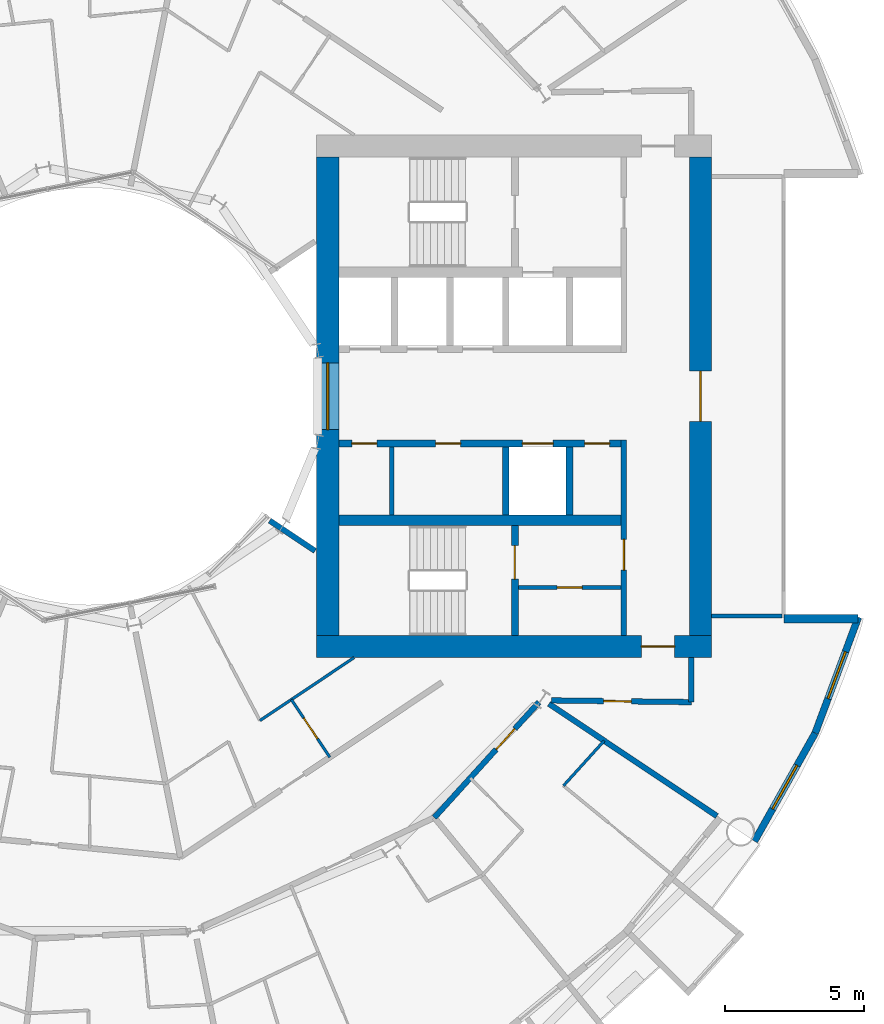
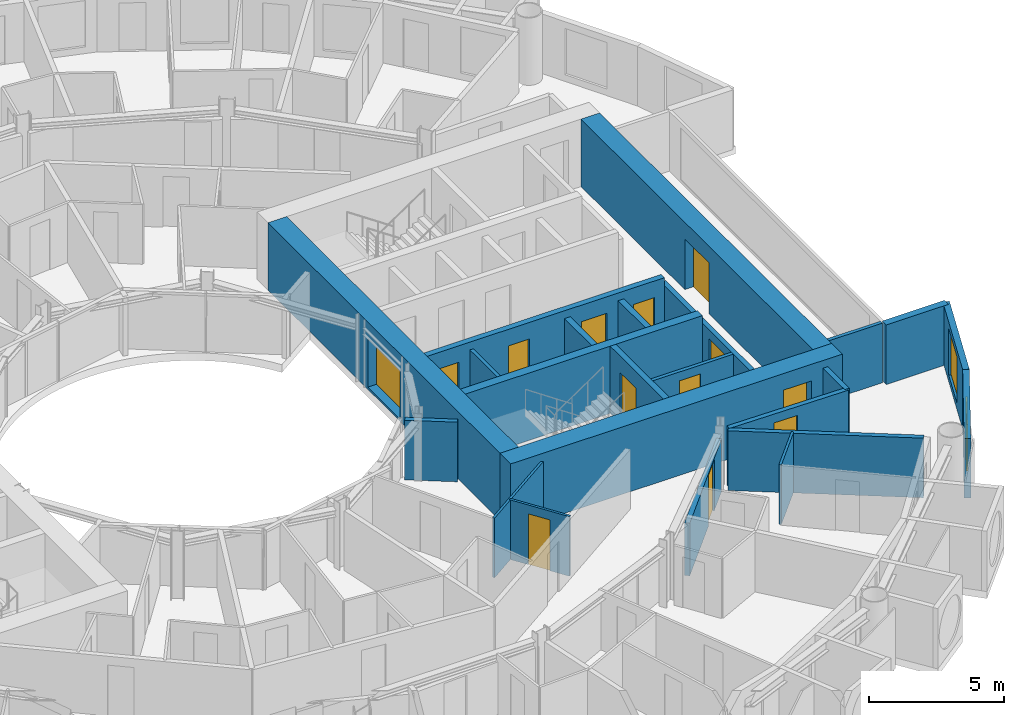
# One storey, part 17 of 26: 23 walls, 12 doors, 3 windows, 15 openings.
"""IFC4 building model written with IfcOpenShell, lengths in metres."""

from ifc_helpers import new_model, si_unit, direction, frame, frame_2d, origin, place, context, subcontext, project, spatial, rectangle, extrude, material, layer, layer_set, type_object, element, fill, save


model = new_model("IFC4")

# Units and contexts
model_context = context("Model", 3, precision=1e-05, world=origin(), true_north=direction((0.0, 1.0)))
body_context = subcontext(model_context, "Body", "Model", "MODEL_VIEW")
ifc_project = project(units=[si_unit("LENGTHUNIT", "METRE"), si_unit("AREAUNIT", "SQUARE_METRE"), si_unit("VOLUMEUNIT", "CUBIC_METRE"), si_unit("PLANEANGLEUNIT", "RADIAN"), si_unit("MASSUNIT", "GRAM", prefix="KILO")], contexts=[model_context])

# Site, building, storey
site_placement = place(None, origin())
site = spatial("IfcSite", under=ifc_project, at=site_placement, CompositionType="ELEMENT")
building_placement = place(site_placement, origin())
building = spatial("IfcBuilding", under=site, at=building_placement, Name="Maasbend Ring Residences", CompositionType="ELEMENT")
storey_placement = place(building_placement, frame((0.0, 0.0, 25.85009765625)))
storey = spatial("IfcBuildingStorey", under=building, at=storey_placement, Name="L06", CompositionType="ELEMENT", Elevation=25.85009765625)

# Wall, openings, doors
ifc_material_1 = material(Name="Concrete C70/85", Category="concrete")
ifc_layer_1 = layer(ifc_material_1, 0.25)
ifc_layer_set_1 = layer_set([ifc_layer_1], Name="Concrete C70/85")
wall_type_1 = type_object("IfcWallType", Name="CORE WALL 250 C70/85", PredefinedType="SHEAR", material=ifc_layer_set_1)
wall_1_placement = place(storey_placement, frame((19.14990234375, -1.699951171875, 0.0), z_axis=(0.0, 0.0, 1.0), x_axis=(-1.0, 0.0, 0.0)))
wall_1 = element("IfcWall", 1, at=wall_1_placement, inside=storey, type_object=wall_type_1, Name="L06 core E wall SPS", PredefinedType="SHEAR", context=body_context, shape_type="SweptSolid", body=[
    extrude(rectangle(XDim=10.14990234375, YDim=0.25, at=frame_2d((5.074951171875, 0.0))), origin(), (0.0, 0.0, 1.0), 3.0498046875),
])
opening_1_placement = place(wall_1_placement, frame((2.449951171875, 0.0, 0.0)))
opening_1 = element("IfcOpeningElement", 2, at=opening_1_placement, cuts=wall_1, Name="Opening LD-E0605", PredefinedType="OPENING", context=body_context, shape_type="SweptSolid", body=[
    extrude(rectangle(XDim=1.10009765625, YDim=2.300048828125, at=frame_2d((0.550048828125, 1.14990234375))), frame((0.0, 0.135009765625, 0.0), z_axis=(0.0, -1.0, 0.0), x_axis=(1.0, 0.0, 0.0)), (0.0, 0.0, 1.0), 0.27001953125),
])
opening_2_placement = place(wall_1_placement, frame((8.78759765625, 0.0, 0.0)))
opening_2 = element("IfcOpeningElement", 3, at=opening_2_placement, cuts=wall_1, Name="Opening D-E0606", PredefinedType="OPENING", context=body_context, shape_type="SweptSolid", body=[
    extrude(rectangle(XDim=0.89990234375, YDim=2.300048828125, at=frame_2d((0.449951171875, 1.14990234375))), frame((0.0, 0.135009765625, 0.0), z_axis=(0.0, -1.0, 0.0), x_axis=(1.0, 0.0, 0.0)), (0.0, 0.0, 1.0), 0.27001953125),
])
opening_3_placement = place(wall_1_placement, frame((5.77490234375, 0.0, 0.0)))
opening_3 = element("IfcOpeningElement", 4, at=opening_3_placement, cuts=wall_1, Name="Opening D-E0607", PredefinedType="OPENING", context=body_context, shape_type="SweptSolid", body=[
    extrude(rectangle(XDim=0.89990234375, YDim=2.300048828125, at=frame_2d((0.449951171875, 1.14990234375))), frame((0.0, 0.135009765625, 0.0), z_axis=(0.0, -1.0, 0.0), x_axis=(1.0, 0.0, 0.0)), (0.0, 0.0, 1.0), 0.27001953125),
])
opening_4_placement = place(wall_1_placement, frame((0.41259765625, 0.0, 0.0)))
opening_4 = element("IfcOpeningElement", 5, at=opening_4_placement, cuts=wall_1, Name="Opening D-E0608", PredefinedType="OPENING", context=body_context, shape_type="SweptSolid", body=[
    extrude(rectangle(XDim=0.89990234375, YDim=2.300048828125, at=frame_2d((0.449951171875, 1.14990234375))), frame((0.0, 0.135009765625, 0.0), z_axis=(0.0, -1.0, 0.0), x_axis=(1.0, 0.0, 0.0)), (0.0, 0.0, 1.0), 0.27001953125),
])
ifc_material_2 = material(Name="Stainless steel 316", Category="steel")
door_type_1 = type_object("IfcDoorType", Name="LANDING DOOR 1100 X 2300 FD60", OperationType="DOUBLE_DOOR_SLIDING", PredefinedType="DOOR", material=ifc_material_2)
door_1_placement = place(opening_1_placement, origin())
door_1 = element("IfcDoor", 6, at=door_1_placement, inside=storey, type_object=door_type_1, Name="Landing door SV-E L06", OperationType="DOUBLE_DOOR_SLIDING", OverallHeight=2.300048828125, OverallWidth=1.10009765625, PredefinedType="DOOR", context=body_context, shape_type="SweptSolid", body=[
    extrude(rectangle(XDim=1.10009765625, YDim=2.300048828125, at=frame_2d((0.550048828125, 1.14990234375))), frame((0.0, 0.02490234375, 0.0), z_axis=(0.0, -1.0, 0.0), x_axis=(1.0, 0.0, 0.0)), (0.0, 0.0, 1.0), 0.050048828125),
])
fill(opening_1, door_1)
ifc_material_3 = material(Name="Steel, powder coated", Category="steel")
door_type_2 = type_object("IfcDoorType", Name="ROOM DOOR 900 X 2300 FD30S", OperationType="NOTDEFINED", PredefinedType="DOOR", material=ifc_material_3)
door_2_placement = place(opening_2_placement, origin())
door_2 = element("IfcDoor", 7, at=door_2_placement, inside=storey, type_object=door_type_2, Name="Room door L06", OperationType="SINGLE_SWING_LEFT", OverallHeight=2.300048828125, OverallWidth=0.89990234375, PredefinedType="DOOR", context=body_context, shape_type="SweptSolid", body=[
    extrude(rectangle(XDim=0.89990234375, YDim=2.300048828125, at=frame_2d((0.449951171875, 1.14990234375))), frame((0.0, 0.02490234375, 0.0), z_axis=(0.0, -1.0, 0.0), x_axis=(1.0, 0.0, 0.0)), (0.0, 0.0, 1.0), 0.050048828125),
])
fill(opening_2, door_2)
door_3_placement = place(opening_3_placement, origin())
door_3 = element("IfcDoor", 8, at=door_3_placement, inside=storey, type_object=door_type_2, Name="Room door L06", OperationType="SINGLE_SWING_LEFT", OverallHeight=2.300048828125, OverallWidth=0.89990234375, PredefinedType="DOOR", context=body_context, shape_type="SweptSolid", body=[
    extrude(rectangle(XDim=0.89990234375, YDim=2.300048828125, at=frame_2d((0.449951171875, 1.14990234375))), frame((0.0, 0.02490234375, 0.0), z_axis=(0.0, -1.0, 0.0), x_axis=(1.0, 0.0, 0.0)), (0.0, 0.0, 1.0), 0.050048828125),
])
fill(opening_3, door_3)
door_4_placement = place(opening_4_placement, origin())
door_4 = element("IfcDoor", 9, at=door_4_placement, inside=storey, type_object=door_type_2, Name="Room door L06", OperationType="SINGLE_SWING_RIGHT", OverallHeight=2.300048828125, OverallWidth=0.89990234375, PredefinedType="DOOR", context=body_context, shape_type="SweptSolid", body=[
    extrude(rectangle(XDim=0.89990234375, YDim=2.300048828125, at=frame_2d((0.449951171875, 1.14990234375))), frame((0.0, 0.02490234375, 0.0), z_axis=(0.0, -1.0, 0.0), x_axis=(1.0, 0.0, 0.0)), (0.0, 0.0, 1.0), 0.050048828125),
])
fill(opening_4, door_4)

# Wall, opening, door
wall_2_placement = place(storey_placement, frame((15.324951171875, -8.60009765625, 0.0), z_axis=(0.0, 0.0, 1.0), x_axis=(0.0, 1.0, 0.0)))
wall_2 = element("IfcWall", 10, at=wall_2_placement, inside=storey, type_object=wall_type_1, Name="L06 core E wall STES", PredefinedType="SHEAR", context=body_context, shape_type="SweptSolid", body=[
    extrude(rectangle(XDim=3.9501953125, YDim=0.25, at=frame_2d((1.97509765625, 0.0))), origin(), (0.0, 0.0, 1.0), 3.0498046875),
])
opening_5_placement = place(wall_2_placement, frame((2.02490234375, 0.0, 0.0)))
opening_5 = element("IfcOpeningElement", 11, at=opening_5_placement, cuts=wall_2, Name="Opening D-E0611", PredefinedType="OPENING", context=body_context, shape_type="SweptSolid", body=[
    extrude(rectangle(XDim=1.199951171875, YDim=2.300048828125, at=frame_2d((0.60009765625, 1.14990234375))), frame((0.0, 0.135009765625, 0.0), z_axis=(0.0, -1.0, 0.0), x_axis=(1.0, 0.0, 0.0)), (0.0, 0.0, 1.0), 0.27001953125),
])
ifc_material_4 = material(Name="Steel, powder coated", Category="steel")
door_type_3 = type_object("IfcDoorType", Name="STAIR DOOR 1200 X 2300 FD60", OperationType="NOTDEFINED", PredefinedType="DOOR", material=ifc_material_4)
door_5_placement = place(opening_5_placement, origin())
door_5 = element("IfcDoor", 12, at=door_5_placement, inside=storey, type_object=door_type_3, Name="Stair door ST-E L06", OperationType="SINGLE_SWING_LEFT", OverallHeight=2.300048828125, OverallWidth=1.199951171875, PredefinedType="DOOR", context=body_context, shape_type="SweptSolid", body=[
    extrude(rectangle(XDim=1.199951171875, YDim=2.300048828125, at=frame_2d((0.60009765625, 1.14990234375))), frame((0.0, 0.02490234375, 0.0), z_axis=(0.0, -1.0, 0.0), x_axis=(1.0, 0.0, 0.0)), (0.0, 0.0, 1.0), 0.050048828125),
])
fill(opening_5, door_5)

# Wall
ifc_material_5 = material(Name="Concrete C70/85", Category="concrete")
ifc_layer_2 = layer(ifc_material_5, 0.375)
ifc_layer_set_2 = layer_set([ifc_layer_2], Name="Concrete C70/85")
wall_type_2 = type_object("IfcWallType", Name="CORE WALL 375 C70/85", PredefinedType="SHEAR", material=ifc_layer_set_2)
wall_3_placement = place(storey_placement, frame((9.0, -4.46240234375, 0.0), z_axis=(0.0, 0.0, 1.0), x_axis=(1.0, 0.0, 0.0)))
element("IfcWall", 13, at=wall_3_placement, inside=storey, type_object=wall_type_2, Name="L06 core E wall BS", PredefinedType="SHEAR", context=body_context, shape_type="SweptSolid", body=[
    extrude(rectangle(XDim=10.14990234375, YDim=0.375, at=frame_2d((5.074951171875, 0.0))), origin(), (0.0, 0.0, 1.0), 3.0498046875),
])

# Wall, opening, door
ifc_material_6 = material(Name="Concrete C70/85", Category="concrete")
ifc_layer_3 = layer(ifc_material_6, 0.800048828125)
ifc_layer_set_3 = layer_set([ifc_layer_3], Name="Concrete C70/85")
wall_type_3 = type_object("IfcWallType", Name="CORE WALL 800 C70/85", PredefinedType="SHEAR", material=ifc_layer_set_3)
wall_4_placement = place(storey_placement, frame((8.199951171875, -9.0, 0.0), z_axis=(0.0, 0.0, 1.0), x_axis=(1.0, 0.0, 0.0)))
wall_4 = element("IfcWall", 14, at=wall_4_placement, inside=storey, type_object=wall_type_3, Name="L06 core E wall PS", PredefinedType="SHEAR", context=body_context, shape_type="SweptSolid", body=[
    extrude(rectangle(XDim=14.199951171875, YDim=0.800048828125, at=frame_2d((7.10009765625, 0.0))), origin(), (0.0, 0.0, 1.0), 3.0498046875),
])
opening_6_placement = place(wall_4_placement, frame((11.675048828125, 0.0, 0.0)))
opening_6 = element("IfcOpeningElement", 15, at=opening_6_placement, cuts=wall_4, Name="Opening D-E0615", PredefinedType="OPENING", context=body_context, shape_type="SweptSolid", body=[
    extrude(rectangle(XDim=1.199951171875, YDim=2.300048828125, at=frame_2d((0.60009765625, 1.14990234375))), frame((0.0, 0.41015625, 0.0), z_axis=(0.0, -1.0, 0.0), x_axis=(1.0, 0.0, 0.0)), (0.0, 0.0, 1.0), 0.820068359375),
])
ifc_material_7 = material(Name="Steel, powder coated", Category="steel")
door_type_4 = type_object("IfcDoorType", Name="CORRIDOR DOOR 1200 X 2300 FD30S", OperationType="NOTDEFINED", PredefinedType="DOOR", material=ifc_material_7)
door_6_placement = place(opening_6_placement, origin())
door_6 = element("IfcDoor", 16, at=door_6_placement, inside=storey, type_object=door_type_4, Name="Corridor door L06", OperationType="SINGLE_SWING_LEFT", OverallHeight=2.300048828125, OverallWidth=1.199951171875, PredefinedType="DOOR", context=body_context, shape_type="SweptSolid", body=[
    extrude(rectangle(XDim=1.199951171875, YDim=2.300048828125, at=frame_2d((0.60009765625, 1.14990234375))), frame((0.0, 0.02490234375, 0.0), z_axis=(0.0, -1.0, 0.0), x_axis=(1.0, 0.0, 0.0)), (0.0, 0.0, 1.0), 0.050048828125),
])
fill(opening_6, door_6)

wall_5_placement = place(storey_placement, frame((22.0, 8.60009765625, 0.0), z_axis=(0.0, 0.0, 1.0), x_axis=(0.0, -1.0, 0.0)))
wall_5 = element("IfcWall", 17, at=wall_5_placement, inside=storey, type_object=wall_type_3, Name="L06 core E wall POUT", PredefinedType="SHEAR", context=body_context, shape_type="SweptSolid", body=[
    extrude(rectangle(XDim=17.2001953125, YDim=0.800048828125, at=frame_2d((8.60009765625, 0.0))), origin(), (0.0, 0.0, 1.0), 3.0498046875),
])
opening_7_placement = place(wall_5_placement, frame((7.699951171875, 0.0, 0.0)))
opening_7 = element("IfcOpeningElement", 18, at=opening_7_placement, cuts=wall_5, Name="Opening D-E0616", PredefinedType="OPENING", context=body_context, shape_type="SweptSolid", body=[
    extrude(rectangle(XDim=1.800048828125, YDim=2.300048828125, at=frame_2d((0.89990234375, 1.14990234375))), frame((0.0, 0.41015625, 0.0), z_axis=(0.0, -1.0, 0.0), x_axis=(1.0, 0.0, 0.0)), (0.0, 0.0, 1.0), 0.820068359375),
])
ifc_material_8 = material(Name="Aluminium frame, clear glass", Category="aluminium")
door_type_5 = type_object("IfcDoorType", Name="ENTRANCE DOOR 1800 X 2300 FD60", OperationType="NOTDEFINED", PredefinedType="DOOR", material=ifc_material_8)
door_7_placement = place(opening_7_placement, origin())
door_7 = element("IfcDoor", 19, at=door_7_placement, inside=storey, type_object=door_type_5, Name="Lobby glazed door L06", OperationType="SINGLE_SWING_LEFT", OverallHeight=2.300048828125, OverallWidth=1.800048828125, PredefinedType="DOOR", context=body_context, shape_type="SweptSolid", body=[
    extrude(rectangle(XDim=1.800048828125, YDim=2.300048828125, at=frame_2d((0.89990234375, 1.14990234375))), frame((0.0, 0.02490234375, 0.0), z_axis=(0.0, -1.0, 0.0), x_axis=(1.0, 0.0, 0.0)), (0.0, 0.0, 1.0), 0.050048828125),
])
fill(opening_7, door_7)

# Wall, opening, window
wall_6_placement = place(storey_placement, frame((8.60009765625, -8.60009765625, 0.0), z_axis=(0.0, 0.0, 1.0), x_axis=(0.0, 1.0, 0.0)))
wall_6 = element("IfcWall", 20, at=wall_6_placement, inside=storey, type_object=wall_type_3, Name="L06 core E wall PIN", PredefinedType="SHEAR", context=body_context, shape_type="SweptSolid", body=[
    extrude(rectangle(XDim=17.2001953125, YDim=0.800048828125, at=frame_2d((8.60009765625, 0.0))), origin(), (0.0, 0.0, 1.0), 3.0498046875),
])
opening_8_placement = place(wall_6_placement, frame((7.39990234375, 0.0, 0.10009765625)))
opening_8 = element("IfcOpeningElement", 21, at=opening_8_placement, cuts=wall_6, Name="Opening W-E0601", PredefinedType="OPENING", context=body_context, shape_type="SweptSolid", body=[
    extrude(rectangle(XDim=2.39990234375, YDim=2.199951171875, at=frame_2d((1.199951171875, 1.10009765625))), frame((0.0, 0.41015625, 0.0), z_axis=(0.0, -1.0, 0.0), x_axis=(1.0, 0.0, 0.0)), (0.0, 0.0, 1.0), 0.820068359375),
])
ifc_material_9 = material(Name="Aluminium frame and clear glass", Category="aluminium")
window_type_1 = type_object("IfcWindowType", Name="FIXED WINDOW 2400 X 2200", PartitioningType="SINGLE_PANEL", PredefinedType="WINDOW", material=ifc_material_9)
window_1_placement = place(opening_8_placement, origin())
window_1 = element("IfcWindow", 22, at=window_1_placement, inside=storey, type_object=window_type_1, Name="Lobby window L06", OverallHeight=2.199951171875, OverallWidth=2.39990234375, PartitioningType="SINGLE_PANEL", PredefinedType="WINDOW", context=body_context, shape_type="SweptSolid", body=[
    extrude(rectangle(XDim=2.39990234375, YDim=2.199951171875, at=frame_2d((1.199951171875, 1.10009765625))), frame((0.0, 0.030029296875, 0.0), z_axis=(0.0, -1.0, 0.0), x_axis=(1.0, 0.0, 0.0)), (0.0, 0.0, 1.0), 0.06005859375),
])
fill(opening_8, window_1)

# Wall
ifc_material_10 = material(Name="Concrete C30/37", Category="concrete")
ifc_layer_4 = layer(ifc_material_10, 0.199951171875)
ifc_layer_set_4 = layer_set([ifc_layer_4], Name="Concrete C30/37")
wall_type_4 = type_object("IfcWallType", Name="CORRIDOR WALL 200 CONCRETE", PredefinedType="PARTITIONING", material=ifc_layer_set_4)
wall_7_placement = place(storey_placement, frame((21.675048828125, -11.0, 0.0), z_axis=(0.0, 0.0, 1.0), x_axis=(0.0, 1.0, 0.0)))
element("IfcWall", 23, at=wall_7_placement, inside=storey, type_object=wall_type_4, Name="U-L06-w007", PredefinedType="PARTITIONING", context=body_context, shape_type="SweptSolid", body=[
    extrude(rectangle(XDim=1.60009765625, YDim=0.199951171875, at=frame_2d((0.800048828125, 0.0))), origin(), (0.0, 0.0, 1.0), 2.699951171875),
])

# Wall, opening, door
wall_8_placement = place(storey_placement, frame((12.43408203125, -15.15087890625, 0.0), z_axis=(0.0, 0.0, 1.0), x_axis=(0.671514934772, 0.740991020444, 0.0)))
wall_8 = element("IfcWall", 24, at=wall_8_placement, inside=storey, type_object=wall_type_4, Name="U-L06-w014", PredefinedType="PARTITIONING", context=body_context, shape_type="SweptSolid", body=[
    extrude(rectangle(XDim=5.597900390625, YDim=0.199951171875, at=frame_2d((2.798828125, 0.0))), origin(), (0.0, 0.0, 1.0), 2.3798828125),
])
opening_9_placement = place(wall_8_placement, frame((3.304931640625, 0.0, 0.0)))
opening_9 = element("IfcOpeningElement", 25, at=opening_9_placement, cuts=wall_8, Name="Opening D-0650", PredefinedType="OPENING", context=body_context, shape_type="SweptSolid", body=[
    extrude(rectangle(XDim=1.0, YDim=2.300048828125, at=frame_2d((0.5, 1.14990234375))), frame((0.0, 0.10986328125, 0.0), z_axis=(0.0, -1.0, 0.0), x_axis=(1.0, 0.0, 0.0)), (0.0, 0.0, 1.0), 0.219970703125),
])
ifc_material_11 = material(Name="Timber, fire-rated, painted", Category="wood")
door_type_6 = type_object("IfcDoorType", Name="FLAT ENTRANCE DOOR 1000 X 2300 FIRE-RATED", OperationType="NOTDEFINED", PredefinedType="DOOR", material=ifc_material_11)
door_8_placement = place(opening_9_placement, origin())
door_8 = element("IfcDoor", 26, at=door_8_placement, inside=storey, type_object=door_type_6, Name="D-0650", OperationType="SINGLE_SWING_RIGHT", OverallHeight=2.300048828125, OverallWidth=1.0, PredefinedType="DOOR", context=body_context, shape_type="SweptSolid", body=[
    extrude(rectangle(XDim=1.0, YDim=2.300048828125, at=frame_2d((0.5, 1.14990234375))), frame((0.0, 0.02490234375, 0.0), z_axis=(0.0, -1.0, 0.0), x_axis=(1.0, 0.0, 0.0)), (0.0, 0.0, 1.0), 0.050048828125),
])
fill(opening_9, door_8)

wall_9_placement = place(storey_placement, frame((16.636962890625, -10.93798828125, 0.0), z_axis=(0.0, 0.0, 1.0), x_axis=(0.99992425795, -0.012307654658, 0.0)))
wall_9 = element("IfcWall", 27, at=wall_9_placement, inside=storey, type_object=wall_type_4, Name="U-L06-w028", PredefinedType="PARTITIONING", context=body_context, shape_type="SweptSolid", body=[
    extrude(rectangle(XDim=5.03857421875, YDim=0.199951171875, at=frame_2d((2.519287109375, 0.0))), origin(), (0.0, 0.0, 1.0), 2.699951171875),
])
opening_10_placement = place(wall_9_placement, frame((1.884033203125, 0.0, 0.0)))
opening_10 = element("IfcOpeningElement", 28, at=opening_10_placement, cuts=wall_9, Name="Opening D-0667", PredefinedType="OPENING", context=body_context, shape_type="SweptSolid", body=[
    extrude(rectangle(XDim=1.0, YDim=2.300048828125, at=frame_2d((0.5, 1.14990234375))), frame((0.0, 0.10986328125, 0.0), z_axis=(0.0, -1.0, 0.0), x_axis=(1.0, 0.0, 0.0)), (0.0, 0.0, 1.0), 0.219970703125),
])
ifc_material_12 = material(Name="Timber, painted", Category="wood")
door_type_7 = type_object("IfcDoorType", Name="ROOM DOOR 1000 X 2300", OperationType="NOTDEFINED", PredefinedType="DOOR", material=ifc_material_12)
door_9_placement = place(opening_10_placement, origin())
door_9 = element("IfcDoor", 29, at=door_9_placement, inside=storey, type_object=door_type_7, Name="D-0667", OperationType="SINGLE_SWING_LEFT", OverallHeight=2.300048828125, OverallWidth=1.0, PredefinedType="DOOR", context=body_context, shape_type="SweptSolid", body=[
    extrude(rectangle(XDim=1.0, YDim=2.300048828125, at=frame_2d((0.5, 1.14990234375))), frame((0.0, 0.02490234375, 0.0), z_axis=(0.0, -1.0, 0.0), x_axis=(1.0, 0.0, 0.0)), (0.0, 0.0, 1.0), 0.050048828125),
])
fill(opening_10, door_9)

# Wall, opening, window
ifc_material_13 = material(Name="Aluminium clad insulated panel", Category="aluminium")
ifc_layer_5 = layer(ifc_material_13, 0.25)
ifc_layer_set_5 = layer_set([ifc_layer_5], Name="EW-HORN")
wall_type_5 = type_object("IfcWallType", Name="EW-HORN", PredefinedType="SOLIDWALL", material=ifc_layer_set_5)
wall_10_placement = place(storey_placement, frame((23.946044921875, -16.0, 0.0), z_axis=(0.0, 0.0, 1.0), x_axis=(0.489696356642, 0.871893042919, 0.0)))
wall_10 = element("IfcWall", 30, at=wall_10_placement, inside=storey, type_object=wall_type_5, Name="Horn wall 2.1", PredefinedType="SOLIDWALL", context=body_context, shape_type="SweptSolid", body=[
    extrude(rectangle(XDim=4.45361328125, YDim=0.25, at=frame_2d((2.226806640625, 0.0))), origin(), (0.0, 0.0, 1.0), 2.699951171875),
])
opening_11_placement = place(wall_10_placement, frame((1.32666015625, 0.0, 0.300048828125)))
opening_11 = element("IfcOpeningElement", 31, at=opening_11_placement, cuts=wall_10, Name="Opening W-BX", PredefinedType="OPENING", context=body_context, shape_type="SweptSolid", body=[
    extrude(rectangle(XDim=1.800048828125, YDim=2.10009765625, at=frame_2d((0.89990234375, 1.050048828125))), frame((0.0, 0.135009765625, 0.0), z_axis=(0.0, -1.0, 0.0), x_axis=(1.0, 0.0, 0.0)), (0.0, 0.0, 1.0), 0.27001953125),
])
ifc_material_14 = material(Name="Aluminium and clear glass", Category="aluminium")
window_type_2 = type_object("IfcWindowType", Name="W-BX", PartitioningType="DOUBLE_PANEL_VERTICAL", PredefinedType="WINDOW", material=ifc_material_14)
window_2_placement = place(opening_11_placement, origin())
window_2 = element("IfcWindow", 32, at=window_2_placement, inside=storey, type_object=window_type_2, Name="Horn window 2.1", OverallHeight=2.10009765625, OverallWidth=1.800048828125, PartitioningType="SINGLE_PANEL", PredefinedType="WINDOW", context=body_context, shape_type="SweptSolid", body=[
    extrude(rectangle(XDim=1.800048828125, YDim=2.10009765625, at=frame_2d((0.89990234375, 1.050048828125))), frame((0.0, 0.030029296875, 0.0), z_axis=(0.0, -1.0, 0.0), x_axis=(1.0, 0.0, 0.0)), (0.0, 0.0, 1.0), 0.06005859375),
])
fill(opening_11, window_2)

wall_11_placement = place(storey_placement, frame((26.126953125, -12.116943359375, 0.0), z_axis=(0.0, 0.0, 1.0), x_axis=(0.349247811493, 0.937030397675, 0.0)))
wall_11 = element("IfcWall", 33, at=wall_11_placement, inside=storey, type_object=wall_type_5, Name="Horn wall 2.2", PredefinedType="SOLIDWALL", context=body_context, shape_type="SweptSolid", body=[
    extrude(rectangle(XDim=4.4521484375, YDim=0.25, at=frame_2d((2.22607421875, 0.0))), origin(), (0.0, 0.0, 1.0), 2.699951171875),
])
opening_12_placement = place(wall_11_placement, frame((1.32666015625, 0.0, 0.300048828125)))
opening_12 = element("IfcOpeningElement", 34, at=opening_12_placement, cuts=wall_11, Name="Opening W-BX", PredefinedType="OPENING", context=body_context, shape_type="SweptSolid", body=[
    extrude(rectangle(XDim=1.800048828125, YDim=2.10009765625, at=frame_2d((0.89990234375, 1.050048828125))), frame((0.0, 0.135009765625, 0.0), z_axis=(0.0, -1.0, 0.0), x_axis=(1.0, 0.0, 0.0)), (0.0, 0.0, 1.0), 0.27001953125),
])
window_3_placement = place(opening_12_placement, origin())
window_3 = element("IfcWindow", 35, at=window_3_placement, inside=storey, type_object=window_type_2, Name="Horn window 2.2", OverallHeight=2.10009765625, OverallWidth=1.800048828125, PartitioningType="SINGLE_PANEL", PredefinedType="WINDOW", context=body_context, shape_type="SweptSolid", body=[
    extrude(rectangle(XDim=1.800048828125, YDim=2.10009765625, at=frame_2d((0.89990234375, 1.050048828125))), frame((0.0, 0.030029296875, 0.0), z_axis=(0.0, -1.0, 0.0), x_axis=(1.0, 0.0, 0.0)), (0.0, 0.0, 1.0), 0.06005859375),
])
fill(opening_12, window_3)

# Walls
ifc_material_15 = material(Name="Aluminium clad insulated panel", Category="aluminium")
ifc_layer_6 = layer(ifc_material_15, 0.300048828125)
ifc_layer_set_6 = layer_set([ifc_layer_6], Name="EW-RET")
wall_type_6 = type_object("IfcWallType", Name="EW-RET", PredefinedType="SOLIDWALL", material=ifc_layer_set_6)
wall_12_placement = place(storey_placement, frame((25.0, -8.0, 0.0), z_axis=(0.0, 0.0, 1.0), x_axis=(1.0, 0.0, 0.0)))
element("IfcWall", 36, at=wall_12_placement, inside=storey, type_object=wall_type_6, Name="Notch return wall east south", PredefinedType="SOLIDWALL", context=body_context, shape_type="SweptSolid", body=[
    extrude(rectangle(XDim=2.6669921875, YDim=0.300048828125, at=frame_2d((1.33349609375, 0.0))), origin(), (0.0, 0.0, 1.0), 2.699951171875),
])
ifc_material_16 = material(Name="Gypsum board on steel studs", Category="steel")
ifc_layer_7 = layer(ifc_material_16, 0.10009765625)
ifc_layer_set_7 = layer_set([ifc_layer_7], Name="PARTITION 100 GYPSUM")
wall_type_7 = type_object("IfcWallType", Name="PARTITION 100 GYPSUM", PredefinedType="PARTITIONING", material=ifc_layer_set_7)
wall_13_placement = place(storey_placement, frame((17.076904296875, -14.006103515625, 0.0), z_axis=(0.0, 0.0, 1.0), x_axis=(0.671396556615, 0.741098282123, 0.0)))
element("IfcWall", 37, at=wall_13_placement, inside=storey, type_object=wall_type_7, Name="U-L06-w004", PredefinedType="PARTITIONING", context=body_context, shape_type="SweptSolid", body=[
    extrude(rectangle(XDim=2.18212890625, YDim=0.10009765625, at=frame_2d((1.091064453125, 0.0))), origin(), (0.0, 0.0, 1.0), 2.699951171875),
])
wall_14_placement = place(storey_placement, frame((6.157958984375, -11.6640625, 0.0), z_axis=(0.0, 0.0, 1.0), x_axis=(0.831459707426, 0.555585056429, 0.0)))
element("IfcWall", 38, at=wall_14_placement, inside=storey, type_object=wall_type_7, Name="U-L06-w026", PredefinedType="PARTITIONING", context=body_context, shape_type="SweptSolid", body=[
    extrude(rectangle(XDim=4.073486328125, YDim=0.10009765625, at=frame_2d((2.03662109375, 0.0))), origin(), (0.0, 0.0, 1.0), 2.699951171875),
])

# Wall, opening, door
wall_15_placement = place(storey_placement, frame((7.2890625, -10.907958984375, 0.0), z_axis=(0.0, 0.0, 1.0), x_axis=(0.555625883274, -0.831432425297, 0.0)))
wall_15 = element("IfcWall", 39, at=wall_15_placement, inside=storey, type_object=wall_type_7, Name="U-L06-w081", PredefinedType="PARTITIONING", context=body_context, shape_type="SweptSolid", body=[
    extrude(rectangle(XDim=2.494384765625, YDim=0.10009765625, at=frame_2d((1.2470703125, 0.0))), origin(), (0.0, 0.0, 1.0), 2.699951171875),
])
opening_13_placement = place(wall_15_placement, frame((0.797119140625, 0.0, 0.0)))
opening_13 = element("IfcOpeningElement", 40, at=opening_13_placement, cuts=wall_15, Name="Opening D-0663", PredefinedType="OPENING", context=body_context, shape_type="SweptSolid", body=[
    extrude(rectangle(XDim=0.89990234375, YDim=2.300048828125, at=frame_2d((0.449951171875, 1.14990234375))), frame((0.0, 0.06005859375, 0.0), z_axis=(0.0, -1.0, 0.0), x_axis=(1.0, 0.0, 0.0)), (0.0, 0.0, 1.0), 0.1201171875),
])
ifc_material_17 = material(Name="Timber, painted", Category="wood")
door_type_8 = type_object("IfcDoorType", Name="INTERNAL DOOR 900 X 2300", OperationType="NOTDEFINED", PredefinedType="DOOR", material=ifc_material_17)
door_10_placement = place(opening_13_placement, origin())
door_10 = element("IfcDoor", 41, at=door_10_placement, inside=storey, type_object=door_type_8, Name="D-0663", OperationType="SINGLE_SWING_LEFT", OverallHeight=2.300048828125, OverallWidth=0.89990234375, PredefinedType="DOOR", context=body_context, shape_type="SweptSolid", body=[
    extrude(rectangle(XDim=0.89990234375, YDim=2.300048828125, at=frame_2d((0.449951171875, 1.14990234375))), frame((0.0, 0.02490234375, 0.0), z_axis=(0.0, -1.0, 0.0), x_axis=(1.0, 0.0, 0.0)), (0.0, 0.0, 1.0), 0.050048828125),
])
fill(opening_13, door_10)

# Wall
ifc_material_18 = material(Name="Gypsum board on steel studs", Category="steel")
ifc_layer_8 = layer(ifc_material_18, 0.14990234375)
ifc_layer_set_8 = layer_set([ifc_layer_8], Name="PARTITION 150 EI 60")
wall_type_8 = type_object("IfcWallType", Name="PARTITION 150 EI 60", PredefinedType="PARTITIONING", material=ifc_layer_set_8)
wall_16_placement = place(storey_placement, frame((10.89990234375, -1.824951171875, 0.0), z_axis=(0.0, 0.0, 1.0), x_axis=(0.0, -1.0, 0.0)))
element("IfcWall", 42, at=wall_16_placement, inside=storey, type_object=wall_type_8, Name="L06 core E wall PRS1090", PredefinedType="PARTITIONING", context=body_context, shape_type="SweptSolid", body=[
    extrude(rectangle(XDim=2.449951171875, YDim=0.14990234375, at=frame_2d((1.22509765625, 0.0))), origin(), (0.0, 0.0, 1.0), 2.699951171875),
])

# Wall, opening, door
wall_17_placement = place(storey_placement, frame((15.449951171875, -6.875, 0.0), z_axis=(0.0, 0.0, 1.0), x_axis=(1.0, 0.0, 0.0)))
wall_17 = element("IfcWall", 43, at=wall_17_placement, inside=storey, type_object=wall_type_8, Name="L06 core E wall RHS", PredefinedType="PARTITIONING", context=body_context, shape_type="SweptSolid", body=[
    extrude(rectangle(XDim=3.699951171875, YDim=0.14990234375, at=frame_2d((1.85009765625, 0.0))), origin(), (0.0, 0.0, 1.0), 2.699951171875),
])
opening_14_placement = place(wall_17_placement, frame((1.39990234375, 0.0, 0.0)))
opening_14 = element("IfcOpeningElement", 44, at=opening_14_placement, cuts=wall_17, Name="Opening D-E0609", PredefinedType="OPENING", context=body_context, shape_type="SweptSolid", body=[
    extrude(rectangle(XDim=0.89990234375, YDim=2.300048828125, at=frame_2d((0.449951171875, 1.14990234375))), frame((0.0, 0.0849609375, 0.0), z_axis=(0.0, -1.0, 0.0), x_axis=(1.0, 0.0, 0.0)), (0.0, 0.0, 1.0), 0.169921875),
])
ifc_material_19 = material(Name="Steel, powder coated", Category="steel")
door_type_9 = type_object("IfcDoorType", Name="RISER DOOR 900 X 2300 FD60", OperationType="NOTDEFINED", PredefinedType="DOOR", material=ifc_material_19)
door_11_placement = place(opening_14_placement, origin())
door_11 = element("IfcDoor", 45, at=door_11_placement, inside=storey, type_object=door_type_9, Name="Riser door L06", OperationType="SINGLE_SWING_LEFT", OverallHeight=2.300048828125, OverallWidth=0.89990234375, PredefinedType="DOOR", context=body_context, shape_type="SweptSolid", body=[
    extrude(rectangle(XDim=0.89990234375, YDim=2.300048828125, at=frame_2d((0.449951171875, 1.14990234375))), frame((0.0, 0.02490234375, 0.0), z_axis=(0.0, -1.0, 0.0), x_axis=(1.0, 0.0, 0.0)), (0.0, 0.0, 1.0), 0.050048828125),
])
fill(opening_14, door_11)

# Walls
wall_18_placement = place(storey_placement, frame((22.39990234375, -7.89990234375, 0.0), z_axis=(0.0, 0.0, 1.0), x_axis=(1.0, 0.0, 0.0)))
element("IfcWall", 46, at=wall_18_placement, inside=storey, type_object=wall_type_8, Name="L06 core E wall CITS", PredefinedType="PARTITIONING", context=body_context, shape_type="SweptSolid", body=[
    extrude(rectangle(XDim=2.5400390625, YDim=0.14990234375, at=frame_2d((1.27001953125, 0.0))), origin(), (0.0, 0.0, 1.0), 2.699951171875),
])
ifc_material_20 = material(Name="Concrete C30/37", Category="concrete")
ifc_layer_9 = layer(ifc_material_20, 0.199951171875)
ifc_layer_set_9 = layer_set([ifc_layer_9], Name="Concrete C30/37")
wall_type_9 = type_object("IfcWallType", Name="PARTY WALL 200 CONCRETE", PredefinedType="PARTITIONING", material=ifc_layer_set_9)
wall_19_placement = place(storey_placement, frame((6.512939453125, -4.471923828125, 0.0), z_axis=(0.0, 0.0, 1.0), x_axis=(0.831417956244, -0.555647533996, 0.0)))
element("IfcWall", 47, at=wall_19_placement, inside=storey, type_object=wall_type_9, Name="U-L06-w030", PredefinedType="PARTITIONING", context=body_context, shape_type="SweptSolid", body=[
    extrude(rectangle(XDim=1.9619140625, YDim=0.199951171875, at=frame_2d((0.98095703125, 0.0))), origin(), (0.0, 0.0, 1.0), 2.699951171875),
])
wall_20_placement = place(storey_placement, frame((16.554931640625, -11.06103515625, 0.0), z_axis=(0.0, 0.0, 1.0), x_axis=(0.831465568067, -0.555576285599, 0.0)))
element("IfcWall", 48, at=wall_20_placement, inside=storey, type_object=wall_type_9, Name="U-L06-w092", PredefinedType="PARTITIONING", context=body_context, shape_type="SweptSolid", body=[
    extrude(rectangle(XDim=7.264404296875, YDim=0.199951171875, at=frame_2d((3.63232421875, 0.0))), origin(), (0.0, 0.0, 1.0), 2.699951171875),
])

# Wall, opening, door
ifc_material_21 = material(Name="Concrete C30/37", Category="concrete")
ifc_layer_10 = layer(ifc_material_21, 0.199951171875)
ifc_layer_set_10 = layer_set([ifc_layer_10], Name="Concrete C30/37")
wall_type_10 = type_object("IfcWallType", Name="SHAFT WALL 200 EI 120", PredefinedType="SOLIDWALL", material=ifc_layer_set_10)
wall_21_placement = place(storey_placement, frame((19.25, -8.60009765625, 0.0), z_axis=(0.0, 0.0, 1.0), x_axis=(0.0, 1.0, 0.0)))
wall_21 = element("IfcWall", 49, at=wall_21_placement, inside=storey, type_object=wall_type_10, Name="L06 core E wall ENDS", PredefinedType="SOLIDWALL", context=body_context, shape_type="SweptSolid", body=[
    extrude(rectangle(XDim=7.025146484375, YDim=0.199951171875, at=frame_2d((3.5126953125, 0.0))), origin(), (0.0, 0.0, 1.0), 2.699951171875),
])
opening_15_placement = place(wall_21_placement, frame((2.35009765625, 0.0, 0.0)))
opening_15 = element("IfcOpeningElement", 50, at=opening_15_placement, cuts=wall_21, Name="Opening D-E0613", PredefinedType="OPENING", context=body_context, shape_type="SweptSolid", body=[
    extrude(rectangle(XDim=1.10009765625, YDim=2.300048828125, at=frame_2d((0.550048828125, 1.14990234375))), frame((0.0, 0.10986328125, 0.0), z_axis=(0.0, -1.0, 0.0), x_axis=(1.0, 0.0, 0.0)), (0.0, 0.0, 1.0), 0.219970703125),
])
ifc_material_22 = material(Name="Steel, powder coated", Category="steel")
door_type_10 = type_object("IfcDoorType", Name="LOBBY DOOR 1100 X 2300 FD60", OperationType="NOTDEFINED", PredefinedType="DOOR", material=ifc_material_22)
door_12_placement = place(opening_15_placement, origin())
door_12 = element("IfcDoor", 51, at=door_12_placement, inside=storey, type_object=door_type_10, Name="Lobby door L06", OperationType="SINGLE_SWING_RIGHT", OverallHeight=2.300048828125, OverallWidth=1.10009765625, PredefinedType="DOOR", context=body_context, shape_type="SweptSolid", body=[
    extrude(rectangle(XDim=1.10009765625, YDim=2.300048828125, at=frame_2d((0.550048828125, 1.14990234375))), frame((0.0, 0.02490234375, 0.0), z_axis=(0.0, -1.0, 0.0), x_axis=(1.0, 0.0, 0.0)), (0.0, 0.0, 1.0), 0.050048828125),
])
fill(opening_15, door_12)

# Walls
ifc_material_23 = material(Name="Concrete C30/37", Category="concrete")
ifc_layer_11 = layer(ifc_material_23, 0.25)
ifc_layer_set_11 = layer_set([ifc_layer_11], Name="Concrete C30/37")
wall_type_11 = type_object("IfcWallType", Name="SHAFT WALL 250 EI 120", PredefinedType="SOLIDWALL", material=ifc_layer_set_11)
for number, where, z_axis, x_axis, name in (
    (52, (15.0, -1.824951171875, 0.0), (0.0, 0.0, 1.0), (0.0, -1.0, 0.0), "L06 core E wall D150S"),
    (53, (17.300048828125, -1.824951171875, 0.0), (0.0, 0.0, 1.0), (0.0, -1.0, 0.0), "L06 core E wall D173S"),
):
    element("IfcWall", number, at=place(storey_placement, frame(where, z_axis=z_axis, x_axis=x_axis)), inside=storey, type_object=wall_type_11, Name=name, PredefinedType="SOLIDWALL", context=body_context, shape_type="SweptSolid", body=[
        extrude(rectangle(XDim=2.449951171875, YDim=0.25, at=frame_2d((1.22509765625, 0.0))), origin(), (0.0, 0.0, 1.0), 2.699951171875),
    ])

save(model, "model.ifc")
